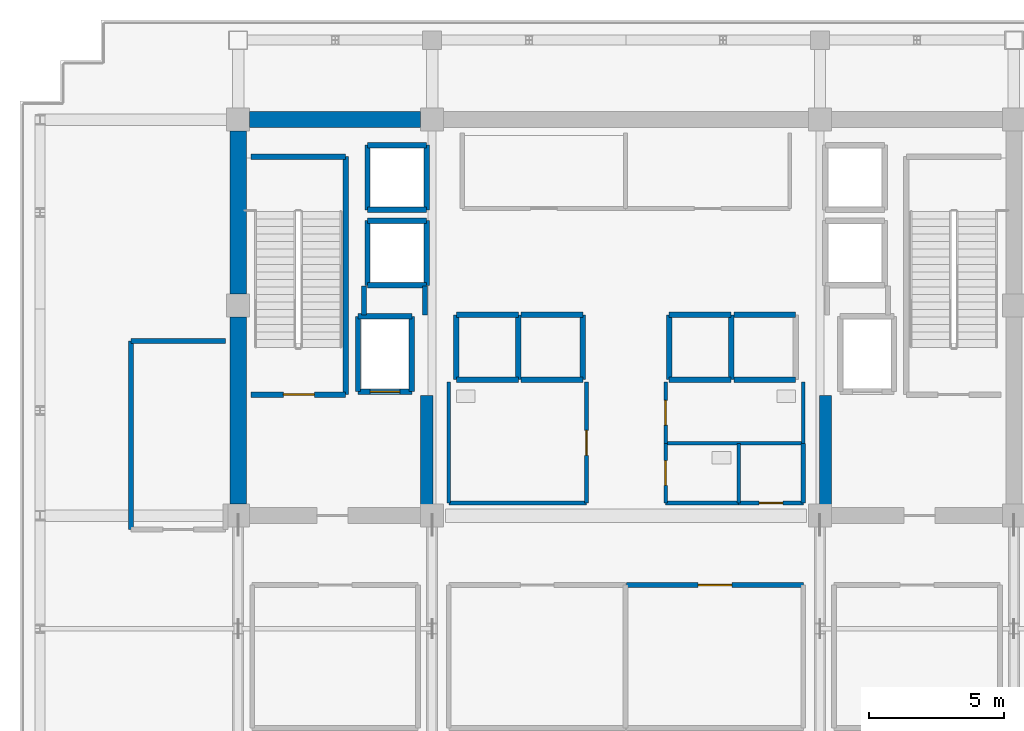
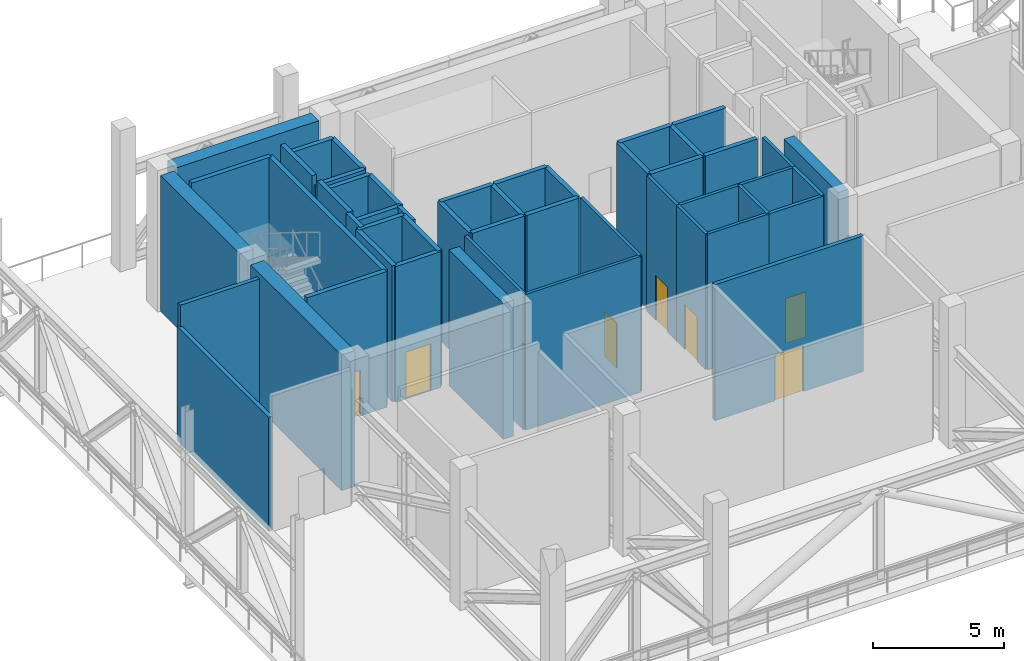
# One storey, part 4 of 11: 49 walls, 7 doors, 7 openings.
"""IFC4 building model written with IfcOpenShell, lengths in metres."""

import ifcopenshell
import ifcopenshell.guid

model = None  # the IFC model being written
_history = None  # IfcOwnerHistory: only IFC2X3 demands one
_inside = {}  # id of a spatial element -> (the spatial element, [elements in it])
_under = {}  # id of a project, library or spatial element -> (it, [spatial elements below it])
_declared = {}  # id of a project -> (the project, [libraries it declares])
_typed = {}  # id of a type object -> (the type object, [elements of that type])
_made_of = {}  # id of a material, layer set ... -> (it, [elements and type objects made of it])


def new_model(schema):
    """Start an empty IFC model of exactly this schema.

    Asked for "IFC4X3", IfcOpenShell would pick the latest addendum, in which some entities
    have other attributes; the version numbers below select the first issue.
    IFC2X3 requires an IfcOwnerHistory on every rooted entity: one is made here for all.
    """
    global model, _history
    if schema == "IFC4X3":
        model = ifcopenshell.file(schema_version=(4, 3, 0, 0))
    else:
        model = ifcopenshell.file(schema=schema)
    _inside.clear()
    _under.clear()
    _declared.clear()
    _typed.clear()
    _made_of.clear()
    _history = None
    if model.schema == "IFC2X3":
        org = make("IfcOrganization", Name="unknown")
        user = make(
            "IfcPersonAndOrganization",
            ThePerson=make("IfcPerson", FamilyName="unknown"),
            TheOrganization=org,
        )
        app = make(
            "IfcApplication",
            ApplicationDeveloper=org,
            Version="unknown",
            ApplicationFullName="unknown",
            ApplicationIdentifier="unknown",
        )
        _history = make(
            "IfcOwnerHistory",
            OwningUser=user,
            OwningApplication=app,
            ChangeAction="ADDED",
            CreationDate=0,
        )
    return model


def make(cls, **values):
    """One entity of the class cls with the attributes given. An attribute that is None is left unset."""
    return model.create_entity(
        cls, **{name: value for name, value in values.items() if value is not None}
    )


def rooted(cls, **values):
    """An entity with a GlobalId (a new one), such as an element, a storey or a relation."""
    return make(cls, GlobalId=ifcopenshell.guid.new(), OwnerHistory=_history, **values)


def si_unit(unit_type, name, prefix=None):
    """IfcSIUnit, for example si_unit("LENGTHUNIT", "METRE", prefix="MILLI")."""
    return make("IfcSIUnit", UnitType=unit_type, Prefix=prefix, Name=name)


def assignment(units):
    """IfcUnitAssignment: the units of a project."""
    return None if units is None else make("IfcUnitAssignment", Units=units)


def point(xyz):
    """IfcCartesianPoint."""
    return None if xyz is None else make("IfcCartesianPoint", Coordinates=xyz)


def direction(xyz):
    """IfcDirection."""
    return None if xyz is None else make("IfcDirection", DirectionRatios=xyz)


def frame(location, z_axis=None, x_axis=None):
    """IfcAxis2Placement3D, a coordinate frame: its origin and axes. An axis left out is left unset."""
    return make(
        "IfcAxis2Placement3D",
        Location=point(location),
        Axis=direction(z_axis),
        RefDirection=direction(x_axis),
    )


def frame_2d(location, x_axis=None):
    """IfcAxis2Placement2D, a coordinate frame in the plane: its origin and x axis."""
    return make(
        "IfcAxis2Placement2D", Location=point(location), RefDirection=direction(x_axis)
    )


def origin():
    """The frame at (0, 0, 0) with its axes left unset."""
    return frame((0.0, 0.0, 0.0))


def place(relative_to, where):
    """IfcLocalPlacement: puts the frame where relative to a parent placement (None: the world)."""
    return make(
        "IfcLocalPlacement", PlacementRelTo=relative_to, RelativePlacement=where
    )


def context(
    kind, dimensions, precision=None, world=None, true_north=None, identifier=None
):
    """IfcGeometricRepresentationContext, for example the 3D "Model" context."""
    return make(
        "IfcGeometricRepresentationContext",
        ContextIdentifier=identifier,
        ContextType=kind,
        CoordinateSpaceDimension=dimensions,
        Precision=precision,
        WorldCoordinateSystem=world,
        TrueNorth=true_north,
    )


def subcontext(parent, identifier, kind, view, scale=None):
    """IfcGeometricRepresentationSubContext, for example "Body" below "Model"."""
    return make(
        "IfcGeometricRepresentationSubContext",
        ContextIdentifier=identifier,
        ContextType=kind,
        ParentContext=parent,
        TargetScale=scale,
        TargetView=view,
    )


def project(units=None, contexts=None):
    """IfcProject with its units and contexts."""
    return rooted(
        "IfcProject",
        Name="project",
        RepresentationContexts=contexts,
        UnitsInContext=assignment(units),
    )


def spatial(cls, under=None, at=None, **own):
    """A site, building, storey or space (cls), placed at a placement, below another one or the project."""
    s = rooted(cls, ObjectPlacement=at, **own)
    if under is not None:
        _under.setdefault(under.id(), (under, []))[1].append(s)
    return s


def profile(cls, at=None, kind="AREA", **sizes):
    """A parametric profile (cls). Its sizes go by their IFC names, for example OverallWidth=200.0."""
    return make(cls, ProfileType=kind, Position=at, **sizes)


def rectangle(**sizes):
    """IfcRectangleProfileDef."""
    return profile("IfcRectangleProfileDef", **sizes)


def extrude(swept, where, along, depth):
    """IfcExtrudedAreaSolid: the profile swept, set in the frame where, extruded along a direction by depth."""
    return make(
        "IfcExtrudedAreaSolid",
        SweptArea=swept,
        Position=where,
        ExtrudedDirection=direction(along),
        Depth=depth,
    )


def shape(context_of_items, identifier, shape_type, items):
    """IfcShapeRepresentation: the items that make up one representation, for example the "Body"."""
    return make(
        "IfcShapeRepresentation",
        ContextOfItems=context_of_items,
        RepresentationIdentifier=identifier,
        RepresentationType=shape_type,
        Items=items,
    )


def source(mapping_origin, context_of_items, identifier, shape_type, items):
    """IfcRepresentationMap: a shape defined once, which mapped items show again and again."""
    return make(
        "IfcRepresentationMap",
        MappingOrigin=mapping_origin,
        MappedRepresentation=shape(context_of_items, identifier, shape_type, items),
    )


def transform(
    local_origin,
    x_axis=None,
    y_axis=None,
    z_axis=None,
    scale=None,
    scale2=None,
    scale3=None,
    uniform=True,
):
    """IfcCartesianTransformationOperator3D, or its non-uniform kind. x_axis, y_axis, z_axis: its Axis1, 2, 3."""
    if uniform:
        return make(
            "IfcCartesianTransformationOperator3D",
            Axis1=direction(x_axis),
            Axis2=direction(y_axis),
            LocalOrigin=point(local_origin),
            Scale=scale,
            Axis3=direction(z_axis),
        )
    return make(
        "IfcCartesianTransformationOperator3DnonUniform",
        Axis1=direction(x_axis),
        Axis2=direction(y_axis),
        LocalOrigin=point(local_origin),
        Scale=scale,
        Axis3=direction(z_axis),
        Scale2=scale2,
        Scale3=scale3,
    )


def mapped(mapping_source, mapping_target):
    """IfcMappedItem: shows the shape of a source again, moved by a transform."""
    return make(
        "IfcMappedItem", MappingSource=mapping_source, MappingTarget=mapping_target
    )


def material(Name=None, Category=None):
    """IfcMaterial."""
    return make("IfcMaterial", Name=Name, Category=Category)


def layer(
    of_material, thickness, ventilated=None, Name=None, Category=None, Priority=None
):
    """IfcMaterialLayer: one layer of a wall or slab, of a material (None: an air gap)."""
    return make(
        "IfcMaterialLayer",
        Material=of_material,
        LayerThickness=thickness,
        IsVentilated=ventilated,
        Name=Name,
        Category=Category,
        Priority=Priority,
    )


def layer_set(layers, Name=None):
    """IfcMaterialLayerSet."""
    return make("IfcMaterialLayerSet", MaterialLayers=layers, LayerSetName=Name)


def made_of(thing, what):
    """Note that an element or type object is made of a material, layer set ...; save() writes the relation."""
    if what is not None:
        _made_of.setdefault(what.id(), (what, []))[1].append(thing)
    return thing


def type_object(cls, material=None, **own):
    """A type object (cls), such as IfcWallType, which elements share."""
    return made_of(rooted(cls, **own), material)


def element(
    cls,
    number,
    at=None,
    inside=None,
    cuts=None,
    type_object=None,
    material=None,
    context=None,
    identifier="Body",
    shape_type=None,
    held_by="IfcProductDefinitionShape",
    body=None,
    shapes=None,
    **own,
):
    """One element of the class cls, such as IfcWall. Its Tag is "e" and its number.

    at: its placement. inside: the storey or other place that contains it. cuts: it is an
    opening in that element (IfcRelVoidsElement). A single representation is given by context,
    identifier, shape_type and body (its items); several are given by shapes. held_by: the class
    of the entity that holds the representations. save() writes the other relations.
    """
    e = rooted(cls, Tag="e%d" % number, ObjectPlacement=at, **own)
    if body is not None:
        shapes = [shape(context, identifier, shape_type, body)]
    if shapes is not None:
        e.Representation = make(held_by, Representations=shapes)
    if inside is not None:
        _inside.setdefault(inside.id(), (inside, []))[1].append(e)
    if cuts is not None:
        rooted(
            "IfcRelVoidsElement", RelatingBuildingElement=cuts, RelatedOpeningElement=e
        )
    if type_object is not None:
        _typed.setdefault(type_object.id(), (type_object, []))[1].append(e)
    return made_of(e, material)


def fill(opening, filler):
    """IfcRelFillsElement: the door or window that sits in an opening."""
    return rooted(
        "IfcRelFillsElement",
        RelatingOpeningElement=opening,
        RelatedBuildingElement=filler,
    )


def aggregate(whole, parts):
    """IfcRelAggregates: a whole, such as a stair, and the parts it consists of."""
    return rooted("IfcRelAggregates", RelatingObject=whole, RelatedObjects=parts)


def save(model, path):
    """Write the relations noted so far, then the file.

    IfcRelAggregates (storeys below a building ...), IfcRelContainedInSpatialStructure (elements
    in a storey), IfcRelDefinesByType, IfcRelAssociatesMaterial and IfcRelDeclares: one each for
    every whole, place, type object, material and project.
    """
    for whole, parts in _under.values():
        aggregate(whole, parts)
    for where, things in _inside.values():
        rooted(
            "IfcRelContainedInSpatialStructure",
            RelatedElements=things,
            RelatingStructure=where,
        )
    for kind, things in _typed.values():
        rooted("IfcRelDefinesByType", RelatedObjects=things, RelatingType=kind)
    for what, things in _made_of.values():
        rooted("IfcRelAssociatesMaterial", RelatedObjects=things, RelatingMaterial=what)
    for by, libraries in _declared.values():
        rooted("IfcRelDeclares", RelatingContext=by, RelatedDefinitions=libraries)
    model.write(path)


model = new_model("IFC4")

# Units and contexts
model_context = context("Model", 3, precision=1e-05, world=origin(), true_north=direction((0.0, 1.0)))
body_context = subcontext(model_context, "Body", "Model", "MODEL_VIEW")
ifc_project = project(units=[si_unit("LENGTHUNIT", "METRE"), si_unit("AREAUNIT", "SQUARE_METRE"), si_unit("VOLUMEUNIT", "CUBIC_METRE"), si_unit("PLANEANGLEUNIT", "RADIAN"), si_unit("MASSUNIT", "GRAM", prefix="KILO")], contexts=[model_context])

# Site, building, storey
site_placement = place(None, origin())
site = spatial("IfcSite", under=ifc_project, at=site_placement, CompositionType="ELEMENT")
building_placement = place(site_placement, origin())
building = spatial("IfcBuilding", under=site, at=building_placement, Name="Zarnakvel Exchange Tower", CompositionType="ELEMENT")
storey_placement = place(building_placement, frame((0.0, 0.0, 199.0)))
storey = spatial("IfcBuildingStorey", under=building, at=storey_placement, Name="L56", CompositionType="ELEMENT", Elevation=199.0)

# Walls
ifc_material_1 = material(Name="Concrete C50/60", Category="concrete")
ifc_layer_1 = layer(ifc_material_1, 0.60009765625)
ifc_layer_set_1 = layer_set([ifc_layer_1], Name="Concrete C50/60")
wall_type_1 = type_object("IfcWallType", Name="CW-C5", PredefinedType="SHEAR", material=ifc_layer_set_1)
wall_1_placement = place(storey_placement, frame((-13.97509765625, 13.5, 0.0), z_axis=(0.0, 0.0, 1.0), x_axis=(1.0, 0.0, 0.0)))
element("IfcWall", 1, at=wall_1_placement, inside=storey, type_object=wall_type_1, Name="L56 Rear Core Shear Wall N1 (CW-C5)", PredefinedType="SHEAR", context=body_context, shape_type="SweptSolid", body=[
    extrude(rectangle(XDim=6.35009765625, YDim=0.60009765625, at=frame_2d((3.175048828125, 0.0))), origin(), (0.0, 0.0, 1.0), 6.35009765625),
])
wall_2_placement = place(storey_placement, frame((-14.39990234375, -0.77490234375, 0.0), z_axis=(0.0, 0.0, 1.0), x_axis=(0.0, 1.0, 0.0)))
element("IfcWall", 2, at=wall_2_placement, inside=storey, type_object=wall_type_1, Name="L56 Rear Core Shear Wall W1 (CW-C5)", PredefinedType="SHEAR", context=body_context, shape_type="SweptSolid", body=[
    extrude(rectangle(XDim=6.949951171875, YDim=0.60009765625, at=frame_2d((3.47509765625, 0.0))), origin(), (0.0, 0.0, 1.0), 6.35009765625),
])
wall_3_placement = place(storey_placement, frame((-14.39990234375, 7.02490234375, 0.0), z_axis=(0.0, 0.0, 1.0), x_axis=(0.0, 1.0, 0.0)))
element("IfcWall", 3, at=wall_3_placement, inside=storey, type_object=wall_type_1, Name="L56 Rear Core Shear Wall W2 (CW-C5)", PredefinedType="SHEAR", context=body_context, shape_type="SweptSolid", body=[
    extrude(rectangle(XDim=6.050048828125, YDim=0.60009765625, at=frame_2d((3.02490234375, 0.0))), origin(), (0.0, 0.0, 1.0), 6.35009765625),
])
ifc_layer_2 = layer(ifc_material_1, 0.449951171875)
ifc_layer_set_2 = layer_set([ifc_layer_2], Name="Concrete C50/60")
wall_type_2 = type_object("IfcWallType", Name="CW-C6", PredefinedType="SHEAR", material=ifc_layer_set_2)
for number, where, z_axis, x_axis, name in (
    (4, (-7.39990234375, -0.89990234375, 0.0), (0.0, 0.0, 1.0), (0.0, 1.0, 0.0), "L56 Rear Core Shear Wall IW (CW-C6)"),
    (5, (7.39990234375, -0.89990234375, 0.0), (0.0, 0.0, 1.0), (0.0, 1.0, 0.0), "L56 Rear Core Shear Wall IE (CW-C6)"),
):
    element("IfcWall", number, at=place(storey_placement, frame(where, z_axis=z_axis, x_axis=x_axis)), inside=storey, type_object=wall_type_2, Name=name, PredefinedType="SHEAR", context=body_context, shape_type="SweptSolid", body=[
        extrude(rectangle(XDim=4.14990234375, YDim=0.449951171875, at=frame_2d((2.074951171875, 0.0))), origin(), (0.0, 0.0, 1.0), 6.35009765625),
    ])

# Wall, opening, door
ifc_material_2 = material(Name="Fire-Rated Gypsum Stud Partition", Category="gypsum")
ifc_layer_3 = layer(ifc_material_2, 0.14990234375)
ifc_layer_set_3 = layer_set([ifc_layer_3], Name="Fire-Rated Gypsum Stud Partition")
wall_type_3 = type_object("IfcWallType", Name="PT-01", PredefinedType="PARTITIONING", material=ifc_layer_set_3)
wall_4_placement = place(storey_placement, frame((6.580078125, -0.72998046875, 0.0), z_axis=(0.0, 0.0, 1.0), x_axis=(-1.0, 0.0, 0.0)))
wall_4 = element("IfcWall", 6, at=wall_4_placement, inside=storey, type_object=wall_type_3, Name="L56 Partition Wall PWALL-L56-025 (PT-01)", PredefinedType="PARTITIONING", context=body_context, shape_type="SweptSolid", body=[
    extrude(rectangle(XDim=2.400146484375, YDim=0.14990234375, at=frame_2d((1.2001953125, 0.0))), origin(), (0.0, 0.0, 1.0), 6.35009765625),
])
opening_1_placement = place(wall_4_placement, frame((0.760009765625, 0.0, 0.0)))
opening_1 = element("IfcOpeningElement", 7, at=opening_1_placement, cuts=wall_4, Name="Opening D-L56-10", PredefinedType="OPENING", context=body_context, shape_type="SweptSolid", body=[
    extrude(rectangle(XDim=0.8798828125, YDim=2.10009765625, at=frame_2d((0.43994140625, 1.050048828125))), frame((0.0, 0.0849609375, 0.0), z_axis=(0.0, -1.0, 0.0), x_axis=(1.0, 0.0, 0.0)), (0.0, 0.0, 1.0), 0.169921875),
])
ifc_material_3 = material(Name="Painted Galvanised Steel S355", Category="steel")
door_type_1 = type_object("IfcDoorType", Name="DT-08", OperationType="NOTDEFINED", PredefinedType="DOOR", material=ifc_material_3)
shared_shape_1 = source(origin(), body_context, "Body", "SweptSolid", [
    extrude(rectangle(XDim=0.8798828125, YDim=2.10009765625, at=frame_2d((0.43994140625, 1.050048828125))), frame((0.0, 0.02490234375, 0.0), z_axis=(0.0, -1.0, 0.0), x_axis=(1.0, 0.0, 0.0)), (0.0, 0.0, 1.0), 0.050048828125),
])
door_1_placement = place(opening_1_placement, origin())
door_1 = element("IfcDoor", 8, at=door_1_placement, inside=storey, type_object=door_type_1, Name="L56 Cleaners Store Door D-L56-10", OperationType="SINGLE_SWING_LEFT", OverallHeight=2.10009765625, OverallWidth=0.8798828125, PredefinedType="DOOR", context=body_context, shape_type="MappedRepresentation", body=[
    mapped(shared_shape_1, transform((0.0, 0.0, 0.0), x_axis=(1.0, 0.0, 0.0), y_axis=(0.0, 1.0, 0.0), z_axis=(0.0, 0.0, 1.0), scale=1.0)),
])
fill(opening_1, door_1)

# Walls
wall_5_placement = place(storey_placement, frame((6.580078125, 1.47998046875, 0.0), z_axis=(0.0, 0.0, 1.0), x_axis=(0.0, -1.0, 0.0)))
element("IfcWall", 9, at=wall_5_placement, inside=storey, type_object=wall_type_3, Name="L56 Partition Wall PWALL-L56-026 (PT-01)", PredefinedType="PARTITIONING", context=body_context, shape_type="SweptSolid", body=[
    extrude(rectangle(XDim=2.2099609375, YDim=0.14990234375, at=frame_2d((1.10498046875, 0.0))), origin(), (0.0, 0.0, 1.0), 6.35009765625),
])
ifc_layer_4 = layer(ifc_material_2, 0.179931640625)
ifc_layer_set_4 = layer_set([ifc_layer_4], Name="Fire-Rated Gypsum Stud Partition")
wall_type_4 = type_object("IfcWallType", Name="PT-02", PredefinedType="PARTITIONING", material=ifc_layer_set_4)
wall_6_placement = place(storey_placement, frame((-9.72998046875, 6.239990234375, 0.0), z_axis=(0.0, 0.0, 1.0), x_axis=(0.0, 1.0, 0.0)))
element("IfcWall", 10, at=wall_6_placement, inside=storey, type_object=wall_type_4, Name="L56 Partition Wall PWALL-L56-007 (PT-02)", PredefinedType="PARTITIONING", context=body_context, shape_type="SweptSolid", body=[
    extrude(rectangle(XDim=1.090087890625, YDim=0.179931640625, at=frame_2d((0.544921875, 0.0))), origin(), (0.0, 0.0, 1.0), 6.35009765625),
])
wall_7_placement = place(storey_placement, frame((-7.469970703125, 7.330078125, 0.0), z_axis=(0.0, 0.0, 1.0), x_axis=(0.0, -1.0, 0.0)))
element("IfcWall", 11, at=wall_7_placement, inside=storey, type_object=wall_type_4, Name="L56 Partition Wall PWALL-L56-008 (PT-02)", PredefinedType="PARTITIONING", context=body_context, shape_type="SweptSolid", body=[
    extrude(rectangle(XDim=1.090087890625, YDim=0.179931640625, at=frame_2d((0.544921875, 0.0))), origin(), (0.0, 0.0, 1.0), 5.889892578125),
])
wall_8_placement = place(storey_placement, frame((-18.3798828125, 5.280029296875, 0.0), z_axis=(0.0, 0.0, 1.0), x_axis=(1.0, 0.0, 0.0)))
element("IfcWall", 12, at=wall_8_placement, inside=storey, type_object=wall_type_4, Name="L56 Partition Wall PWALL-L56-028 (PT-02)", PredefinedType="PARTITIONING", context=body_context, shape_type="SweptSolid", body=[
    extrude(rectangle(XDim=3.509765625, YDim=0.179931640625, at=frame_2d((1.7548828125, 0.0))), origin(), (0.0, 0.0, 1.0), 6.35009765625),
])
wall_9_placement = place(storey_placement, frame((-18.3798828125, -1.719970703125, 0.0), z_axis=(0.0, 0.0, 1.0), x_axis=(0.0, 1.0, 0.0)))
element("IfcWall", 13, at=wall_9_placement, inside=storey, type_object=wall_type_4, Name="L56 Partition Wall PWALL-L56-029 (PT-02)", PredefinedType="PARTITIONING", context=body_context, shape_type="SweptSolid", body=[
    extrude(rectangle(XDim=7.0, YDim=0.179931640625, at=frame_2d((3.5, 0.0))), origin(), (0.0, 0.0, 1.0), 5.33203125),
])

# Wall, opening, door
wall_10_placement = place(storey_placement, frame((0.02001953125, -3.780029296875, 0.0), z_axis=(0.0, 0.0, 1.0), x_axis=(1.0, 0.0, 0.0)))
wall_10 = element("IfcWall", 14, at=wall_10_placement, inside=storey, type_object=wall_type_4, Name="L56 Partition Wall PWALL-L56-040 (PT-02)", PredefinedType="PARTITIONING", context=body_context, shape_type="SweptSolid", body=[
    extrude(rectangle(XDim=6.56005859375, YDim=0.179931640625, at=frame_2d((3.280029296875, 0.0))), origin(), (0.0, 0.0, 1.0), 6.35009765625),
])
opening_2_placement = place(wall_10_placement, frame((2.655029296875, 0.0, 0.0)))
opening_2 = element("IfcOpeningElement", 15, at=opening_2_placement, cuts=wall_10, Name="Opening D-L56-14", PredefinedType="OPENING", context=body_context, shape_type="SweptSolid", body=[
    extrude(rectangle(XDim=1.25, YDim=2.14990234375, at=frame_2d((0.625, 1.074951171875))), frame((0.0, 0.099853515625, 0.0), z_axis=(0.0, -1.0, 0.0), x_axis=(1.0, 0.0, 0.0)), (0.0, 0.0, 1.0), 0.199951171875),
])
door_type_2 = type_object("IfcDoorType", Name="DT-06", OperationType="NOTDEFINED", PredefinedType="DOOR", material=ifc_material_3)
shared_shape_2 = source(origin(), body_context, "Body", "SweptSolid", [
    extrude(rectangle(XDim=1.25, YDim=2.14990234375, at=frame_2d((0.625, 1.074951171875))), frame((0.0, 0.02490234375, 0.0), z_axis=(0.0, -1.0, 0.0), x_axis=(1.0, 0.0, 0.0)), (0.0, 0.0, 1.0), 0.050048828125),
])
door_2_placement = place(opening_2_placement, origin())
door_2 = element("IfcDoor", 16, at=door_2_placement, inside=storey, type_object=door_type_2, Name="L56 L56 AHU Supply Fan Plant Room Door D-L56-14", OperationType="SINGLE_SWING_LEFT", OverallHeight=2.14990234375, OverallWidth=1.25, PredefinedType="DOOR", context=body_context, shape_type="MappedRepresentation", body=[
    mapped(shared_shape_2, transform((0.0, 0.0, 0.0), x_axis=(1.0, 0.0, 0.0), y_axis=(0.0, 1.0, 0.0), z_axis=(0.0, 0.0, 1.0), scale=1.0)),
])
fill(opening_2, door_2)

# Walls
ifc_material_4 = material(Name="Moisture-Resistant Tile-Faced Partition", Category="gypsum")
ifc_layer_5 = layer(ifc_material_4, 0.135009765625)
ifc_layer_set_5 = layer_set([ifc_layer_5], Name="Moisture-Resistant Tile-Faced Partition")
wall_type_5 = type_object("IfcWallType", Name="PT-03", PredefinedType="PARTITIONING", material=ifc_layer_set_5)
wall_11_placement = place(storey_placement, frame((-1.469970703125, -0.72998046875, 0.0), z_axis=(0.0, 0.0, 1.0), x_axis=(-1.0, 0.0, 0.0)))
element("IfcWall", 17, at=wall_11_placement, inside=storey, type_object=wall_type_5, Name="L56 Partition Wall PWALL-L56-016 (PT-03)", PredefinedType="PARTITIONING", context=body_context, shape_type="SweptSolid", body=[
    extrude(rectangle(XDim=5.110107421875, YDim=0.135009765625, at=frame_2d((2.55517578125, 0.0))), origin(), (0.0, 0.0, 1.0), 6.35009765625),
])
wall_12_placement = place(storey_placement, frame((-6.580078125, -0.72998046875, 0.0), z_axis=(0.0, 0.0, 1.0), x_axis=(0.0, 1.0, 0.0)))
element("IfcWall", 18, at=wall_12_placement, inside=storey, type_object=wall_type_5, Name="L56 Partition Wall PWALL-L56-017 (PT-03)", PredefinedType="PARTITIONING", context=body_context, shape_type="SweptSolid", body=[
    extrude(rectangle(XDim=4.489990234375, YDim=0.135009765625, at=frame_2d((2.2451171875, 0.0))), origin(), (0.0, 0.0, 1.0), 6.35009765625),
])

# Wall, opening, door
wall_13_placement = place(storey_placement, frame((-1.469970703125, 3.760009765625, 0.0), z_axis=(0.0, 0.0, 1.0), x_axis=(0.0, -1.0, 0.0)))
wall_13 = element("IfcWall", 19, at=wall_13_placement, inside=storey, type_object=wall_type_5, Name="L56 Partition Wall PWALL-L56-018 (PT-03)", PredefinedType="PARTITIONING", context=body_context, shape_type="SweptSolid", body=[
    extrude(rectangle(XDim=4.489990234375, YDim=0.135009765625, at=frame_2d((2.2451171875, 0.0))), origin(), (0.0, 0.0, 1.0), 6.35009765625),
])
opening_3_placement = place(wall_13_placement, frame((1.800048828125, 0.0, 0.0)))
opening_3 = element("IfcOpeningElement", 20, at=opening_3_placement, cuts=wall_13, Name="Opening D-L56-07", PredefinedType="OPENING", context=body_context, shape_type="SweptSolid", body=[
    extrude(rectangle(XDim=0.919921875, YDim=2.10009765625, at=frame_2d((0.4599609375, 1.050048828125))), frame((0.0, 0.077392578125, 0.0), z_axis=(0.0, -1.0, 0.0), x_axis=(1.0, 0.0, 0.0)), (0.0, 0.0, 1.0), 0.155029296875),
])
ifc_material_5 = material(Name="Moisture-Resistant Laminate Timber", Category="wood")
door_type_3 = type_object("IfcDoorType", Name="DT-07", OperationType="NOTDEFINED", PredefinedType="DOOR", material=ifc_material_5)
shared_shape_3 = source(origin(), body_context, "Body", "SweptSolid", [
    extrude(rectangle(XDim=0.919921875, YDim=2.10009765625, at=frame_2d((0.4599609375, 1.050048828125))), frame((0.0, 0.02490234375, 0.0), z_axis=(0.0, -1.0, 0.0), x_axis=(1.0, 0.0, 0.0)), (0.0, 0.0, 1.0), 0.050048828125),
])
door_3_placement = place(opening_3_placement, origin())
door_3 = element("IfcDoor", 21, at=door_3_placement, inside=storey, type_object=door_type_3, Name="L56 Male Toilet Door D-L56-07", OperationType="SINGLE_SWING_RIGHT", OverallHeight=2.10009765625, OverallWidth=0.919921875, PredefinedType="DOOR", context=body_context, shape_type="MappedRepresentation", body=[
    mapped(shared_shape_3, transform((0.0, 0.0, 0.0), x_axis=(1.0, 0.0, 0.0), y_axis=(0.0, 1.0, 0.0), z_axis=(0.0, 0.0, 1.0), scale=1.0)),
])
fill(opening_3, door_3)

# Wall
wall_14_placement = place(storey_placement, frame((6.580078125, 1.47998046875, 0.0), z_axis=(0.0, 0.0, 1.0), x_axis=(-1.0, 0.0, 0.0)))
element("IfcWall", 22, at=wall_14_placement, inside=storey, type_object=wall_type_5, Name="L56 Partition Wall PWALL-L56-019 (PT-03)", PredefinedType="PARTITIONING", context=body_context, shape_type="SweptSolid", body=[
    extrude(rectangle(XDim=5.110107421875, YDim=0.135009765625, at=frame_2d((2.55517578125, 0.0))), origin(), (0.0, 0.0, 1.0), 6.35009765625),
])

# Wall, opening, door
wall_15_placement = place(storey_placement, frame((1.469970703125, 1.47998046875, 0.0), z_axis=(0.0, 0.0, 1.0), x_axis=(0.0, 1.0, 0.0)))
wall_15 = element("IfcWall", 23, at=wall_15_placement, inside=storey, type_object=wall_type_5, Name="L56 Partition Wall PWALL-L56-020 (PT-03)", PredefinedType="PARTITIONING", context=body_context, shape_type="SweptSolid", body=[
    extrude(rectangle(XDim=2.280029296875, YDim=0.135009765625, at=frame_2d((1.14013671875, 0.0))), origin(), (0.0, 0.0, 1.0), 6.35009765625),
])
opening_4_placement = place(wall_15_placement, frame((0.679931640625, 0.0, 0.0)))
opening_4 = element("IfcOpeningElement", 24, at=opening_4_placement, cuts=wall_15, Name="Opening D-L56-08", PredefinedType="OPENING", context=body_context, shape_type="SweptSolid", body=[
    extrude(rectangle(XDim=0.919921875, YDim=2.10009765625, at=frame_2d((0.4599609375, 1.050048828125))), frame((0.0, 0.077392578125, 0.0), z_axis=(0.0, -1.0, 0.0), x_axis=(1.0, 0.0, 0.0)), (0.0, 0.0, 1.0), 0.155029296875),
])
door_4_placement = place(opening_4_placement, origin())
door_4 = element("IfcDoor", 25, at=door_4_placement, inside=storey, type_object=door_type_3, Name="L56 Female Toilet Door D-L56-08", OperationType="SINGLE_SWING_LEFT", OverallHeight=2.10009765625, OverallWidth=0.919921875, PredefinedType="DOOR", context=body_context, shape_type="MappedRepresentation", body=[
    mapped(shared_shape_3, transform((0.0, 0.0, 0.0), x_axis=(1.0, 0.0, 0.0), y_axis=(0.0, 1.0, 0.0), z_axis=(0.0, 0.0, 1.0), scale=1.0)),
])
fill(opening_4, door_4)

# Walls
wall_16_placement = place(storey_placement, frame((6.580078125, 3.760009765625, 0.0), z_axis=(0.0, 0.0, 1.0), x_axis=(0.0, -1.0, 0.0)))
element("IfcWall", 26, at=wall_16_placement, inside=storey, type_object=wall_type_5, Name="L56 Partition Wall PWALL-L56-021 (PT-03)", PredefinedType="PARTITIONING", context=body_context, shape_type="SweptSolid", body=[
    extrude(rectangle(XDim=2.280029296875, YDim=0.135009765625, at=frame_2d((1.14013671875, 0.0))), origin(), (0.0, 0.0, 1.0), 6.35009765625),
])
wall_17_placement = place(storey_placement, frame((4.179931640625, -0.72998046875, 0.0), z_axis=(0.0, 0.0, 1.0), x_axis=(-1.0, 0.0, 0.0)))
element("IfcWall", 27, at=wall_17_placement, inside=storey, type_object=wall_type_5, Name="L56 Partition Wall PWALL-L56-022 (PT-03)", PredefinedType="PARTITIONING", context=body_context, shape_type="SweptSolid", body=[
    extrude(rectangle(XDim=2.7099609375, YDim=0.135009765625, at=frame_2d((1.35498046875, 0.0))), origin(), (0.0, 0.0, 1.0), 6.35009765625),
])

# Wall, opening, door
wall_18_placement = place(storey_placement, frame((1.469970703125, -0.72998046875, 0.0), z_axis=(0.0, 0.0, 1.0), x_axis=(0.0, 1.0, 0.0)))
wall_18 = element("IfcWall", 28, at=wall_18_placement, inside=storey, type_object=wall_type_5, Name="L56 Partition Wall PWALL-L56-023 (PT-03)", PredefinedType="PARTITIONING", context=body_context, shape_type="SweptSolid", body=[
    extrude(rectangle(XDim=2.2099609375, YDim=0.135009765625, at=frame_2d((1.10498046875, 0.0))), origin(), (0.0, 0.0, 1.0), 6.35009765625),
])
opening_5_placement = place(wall_18_placement, frame((0.64990234375, 0.0, 0.0)))
opening_5 = element("IfcOpeningElement", 29, at=opening_5_placement, cuts=wall_18, Name="Opening D-L56-09", PredefinedType="OPENING", context=body_context, shape_type="SweptSolid", body=[
    extrude(rectangle(XDim=0.919921875, YDim=2.10009765625, at=frame_2d((0.4599609375, 1.050048828125))), frame((0.0, 0.077392578125, 0.0), z_axis=(0.0, -1.0, 0.0), x_axis=(1.0, 0.0, 0.0)), (0.0, 0.0, 1.0), 0.155029296875),
])
door_5_placement = place(opening_5_placement, origin())
door_5 = element("IfcDoor", 30, at=door_5_placement, inside=storey, type_object=door_type_3, Name="L56 Accessible Toilet Door D-L56-09", OperationType="SINGLE_SWING_RIGHT", OverallHeight=2.10009765625, OverallWidth=0.919921875, PredefinedType="DOOR", context=body_context, shape_type="MappedRepresentation", body=[
    mapped(shared_shape_3, transform((0.0, 0.0, 0.0), x_axis=(1.0, 0.0, 0.0), y_axis=(0.0, 1.0, 0.0), z_axis=(0.0, 0.0, 1.0), scale=1.0)),
])
fill(opening_5, door_5)

# Wall
wall_19_placement = place(storey_placement, frame((4.179931640625, 1.47998046875, 0.0), z_axis=(0.0, 0.0, 1.0), x_axis=(0.0, -1.0, 0.0)))
element("IfcWall", 31, at=wall_19_placement, inside=storey, type_object=wall_type_5, Name="L56 Partition Wall PWALL-L56-024 (PT-03)", PredefinedType="PARTITIONING", context=body_context, shape_type="SweptSolid", body=[
    extrude(rectangle(XDim=2.2099609375, YDim=0.135009765625, at=frame_2d((1.10498046875, 0.0))), origin(), (0.0, 0.0, 1.0), 6.35009765625),
])

# Wall, opening, door
ifc_material_6 = material(Name="Concrete C40/50", Category="concrete")
ifc_layer_6 = layer(ifc_material_6, 0.199951171875)
ifc_layer_set_6 = layer_set([ifc_layer_6], Name="Concrete C40/50")
wall_type_6 = type_object("IfcWallType", Name="SW-01", PredefinedType="SOLIDWALL", material=ifc_layer_set_6)
wall_20_placement = place(storey_placement, frame((-7.949951171875, 3.39990234375, 0.0), z_axis=(0.0, 0.0, 1.0), x_axis=(-1.0, 0.0, 0.0)))
wall_20 = element("IfcWall", 32, at=wall_20_placement, inside=storey, type_object=wall_type_6, Name="L56 FL-01 Hoistway Wall South", PredefinedType="SOLIDWALL", context=body_context, shape_type="SweptSolid", body=[
    extrude(rectangle(XDim=2.0, YDim=0.199951171875, at=frame_2d((1.0, 0.0))), origin(), (0.0, 0.0, 1.0), 6.35009765625),
])
opening_6_placement = place(wall_20_placement, frame((0.449951171875, 0.0, 0.0)))
opening_6 = element("IfcOpeningElement", 33, at=opening_6_placement, cuts=wall_20, Name="Opening LD-FL-01-L56", PredefinedType="OPENING", context=body_context, shape_type="SweptSolid", body=[
    extrude(rectangle(XDim=1.10009765625, YDim=2.199951171875, at=frame_2d((0.550048828125, 1.10009765625))), frame((0.0, 0.10986328125, 0.0), z_axis=(0.0, -1.0, 0.0), x_axis=(1.0, 0.0, 0.0)), (0.0, 0.0, 1.0), 0.219970703125),
])
ifc_material_7 = material(Name="Brushed Stainless Steel", Category="steel")
door_type_4 = type_object("IfcDoorType", Name="LDT-01", OperationType="NOTDEFINED", PredefinedType="DOOR", material=ifc_material_7)
shared_shape_4 = source(origin(), body_context, "Body", "SweptSolid", [
    extrude(rectangle(XDim=1.10009765625, YDim=2.199951171875, at=frame_2d((0.550048828125, 1.10009765625))), frame((0.0, 0.02490234375, 0.0), z_axis=(0.0, -1.0, 0.0), x_axis=(1.0, 0.0, 0.0)), (0.0, 0.0, 1.0), 0.050048828125),
])
door_6_placement = place(opening_6_placement, origin())
door_6 = element("IfcDoor", 34, at=door_6_placement, inside=storey, type_object=door_type_4, Name="L56 FL-01 Lift Landing Door LD-FL-01-L56", OperationType="DOUBLE_DOOR_SLIDING", OverallHeight=2.199951171875, OverallWidth=1.10009765625, PredefinedType="DOOR", context=body_context, shape_type="MappedRepresentation", body=[
    mapped(shared_shape_4, transform((0.0, 0.0, 0.0), x_axis=(1.0, 0.0, 0.0), y_axis=(0.0, 1.0, 0.0), z_axis=(0.0, 0.0, 1.0), scale=1.0)),
])
fill(opening_6, door_6)

# Walls
wall_21_placement = place(storey_placement, frame((-9.949951171875, 6.199951171875, 0.0), z_axis=(0.0, 0.0, 1.0), x_axis=(1.0, 0.0, 0.0)))
element("IfcWall", 35, at=wall_21_placement, inside=storey, type_object=wall_type_6, Name="L56 FL-01 Hoistway Wall North", PredefinedType="SOLIDWALL", context=body_context, shape_type="SweptSolid", body=[
    extrude(rectangle(XDim=2.0, YDim=0.199951171875, at=frame_2d((1.0, 0.0))), origin(), (0.0, 0.0, 1.0), 6.35009765625),
])
for number, where, z_axis, x_axis, name in (
    (36, (-9.949951171875, 3.39990234375, 0.0), (0.0, 0.0, 1.0), (0.0, 1.0, 0.0), "L56 FL-01 Hoistway Wall West"),
    (37, (-7.949951171875, 6.199951171875, 0.0), (0.0, 0.0, 1.0), (0.0, -1.0, 0.0), "L56 FL-01 Hoistway Wall East"),
):
    element("IfcWall", number, at=place(storey_placement, frame(where, z_axis=z_axis, x_axis=x_axis)), inside=storey, type_object=wall_type_6, Name=name, PredefinedType="SOLIDWALL", context=body_context, shape_type="SweptSolid", body=[
        extrude(rectangle(XDim=2.800048828125, YDim=0.199951171875, at=frame_2d((1.39990234375, 0.0))), origin(), (0.0, 0.0, 1.0), 6.35009765625),
    ])
for number, where, z_axis, x_axis, name in (
    (38, (-4.0, 3.85009765625, 0.0), (0.0, 0.0, 1.0), (-1.0, 0.0, 0.0), "L56 PL-05 Hoistway Wall South"),
    (39, (-6.300048828125, 6.25, 0.0), (0.0, 0.0, 1.0), (1.0, 0.0, 0.0), "L56 PL-05 Hoistway Wall North"),
):
    element("IfcWall", number, at=place(storey_placement, frame(where, z_axis=z_axis, x_axis=x_axis)), inside=storey, type_object=wall_type_6, Name=name, PredefinedType="SOLIDWALL", context=body_context, shape_type="SweptSolid", body=[
        extrude(rectangle(XDim=2.300048828125, YDim=0.199951171875, at=frame_2d((1.14990234375, 0.0))), origin(), (0.0, 0.0, 1.0), 6.35009765625),
    ])
for number, where, z_axis, x_axis, name in (
    (40, (-6.300048828125, 3.85009765625, 0.0), (0.0, 0.0, 1.0), (0.0, 1.0, 0.0), "L56 PL-05 Hoistway Wall West"),
    (41, (-4.0, 6.25, 0.0), (0.0, 0.0, 1.0), (0.0, -1.0, 0.0), "L56 PL-05 Hoistway Wall East"),
):
    element("IfcWall", number, at=place(storey_placement, frame(where, z_axis=z_axis, x_axis=x_axis)), inside=storey, type_object=wall_type_6, Name=name, PredefinedType="SOLIDWALL", context=body_context, shape_type="SweptSolid", body=[
        extrude(rectangle(XDim=2.39990234375, YDim=0.199951171875, at=frame_2d((1.199951171875, 0.0))), origin(), (0.0, 0.0, 1.0), 6.35009765625),
    ])
for number, where, z_axis, x_axis, name in (
    (42, (-1.60009765625, 3.85009765625, 0.0), (0.0, 0.0, 1.0), (-1.0, 0.0, 0.0), "L56 PL-06 Hoistway Wall South"),
    (43, (-3.89990234375, 6.25, 0.0), (0.0, 0.0, 1.0), (1.0, 0.0, 0.0), "L56 PL-06 Hoistway Wall North"),
):
    element("IfcWall", number, at=place(storey_placement, frame(where, z_axis=z_axis, x_axis=x_axis)), inside=storey, type_object=wall_type_6, Name=name, PredefinedType="SOLIDWALL", context=body_context, shape_type="SweptSolid", body=[
        extrude(rectangle(XDim=2.2998046875, YDim=0.199951171875, at=frame_2d((1.14990234375, 0.0))), origin(), (0.0, 0.0, 1.0), 6.35009765625),
    ])
wall_22_placement = place(storey_placement, frame((-1.60009765625, 6.25, 0.0), z_axis=(0.0, 0.0, 1.0), x_axis=(0.0, -1.0, 0.0)))
element("IfcWall", 44, at=wall_22_placement, inside=storey, type_object=wall_type_6, Name="L56 PL-06 Hoistway Wall East", PredefinedType="SOLIDWALL", context=body_context, shape_type="SweptSolid", body=[
    extrude(rectangle(XDim=2.39990234375, YDim=0.199951171875, at=frame_2d((1.199951171875, 0.0))), origin(), (0.0, 0.0, 1.0), 6.35009765625),
])
for number, where, z_axis, x_axis, name in (
    (45, (3.89990234375, 3.85009765625, 0.0), (0.0, 0.0, 1.0), (-1.0, 0.0, 0.0), "L56 PL-07 Hoistway Wall South"),
    (46, (1.60009765625, 6.25, 0.0), (0.0, 0.0, 1.0), (1.0, 0.0, 0.0), "L56 PL-07 Hoistway Wall North"),
):
    element("IfcWall", number, at=place(storey_placement, frame(where, z_axis=z_axis, x_axis=x_axis)), inside=storey, type_object=wall_type_6, Name=name, PredefinedType="SOLIDWALL", context=body_context, shape_type="SweptSolid", body=[
        extrude(rectangle(XDim=2.2998046875, YDim=0.199951171875, at=frame_2d((1.14990234375, 0.0))), origin(), (0.0, 0.0, 1.0), 6.35009765625),
    ])
for number, where, z_axis, x_axis, name in (
    (47, (1.60009765625, 3.85009765625, 0.0), (0.0, 0.0, 1.0), (0.0, 1.0, 0.0), "L56 PL-07 Hoistway Wall West"),
    (48, (3.89990234375, 6.25, 0.0), (0.0, 0.0, 1.0), (0.0, -1.0, 0.0), "L56 PL-07 Hoistway Wall East"),
):
    element("IfcWall", number, at=place(storey_placement, frame(where, z_axis=z_axis, x_axis=x_axis)), inside=storey, type_object=wall_type_6, Name=name, PredefinedType="SOLIDWALL", context=body_context, shape_type="SweptSolid", body=[
        extrude(rectangle(XDim=2.39990234375, YDim=0.199951171875, at=frame_2d((1.199951171875, 0.0))), origin(), (0.0, 0.0, 1.0), 6.35009765625),
    ])
for number, where, z_axis, x_axis, name in (
    (49, (6.300048828125, 3.85009765625, 0.0), (0.0, 0.0, 1.0), (-1.0, 0.0, 0.0), "L56 PL-08 Hoistway Wall South"),
    (50, (4.0, 6.25, 0.0), (0.0, 0.0, 1.0), (1.0, 0.0, 0.0), "L56 PL-08 Hoistway Wall North"),
):
    element("IfcWall", number, at=place(storey_placement, frame(where, z_axis=z_axis, x_axis=x_axis)), inside=storey, type_object=wall_type_6, Name=name, PredefinedType="SOLIDWALL", context=body_context, shape_type="SweptSolid", body=[
        extrude(rectangle(XDim=2.300048828125, YDim=0.199951171875, at=frame_2d((1.14990234375, 0.0))), origin(), (0.0, 0.0, 1.0), 6.35009765625),
    ])
for number, where, z_axis, x_axis, name in (
    (51, (-7.39990234375, 7.35009765625, 0.0), (0.0, 0.0, 1.0), (-1.0, 0.0, 0.0), "L56 PL-09 Hoistway Wall South"),
    (52, (-9.60009765625, 9.75, 0.0), (0.0, 0.0, 1.0), (1.0, 0.0, 0.0), "L56 PL-09 Hoistway Wall North"),
):
    element("IfcWall", number, at=place(storey_placement, frame(where, z_axis=z_axis, x_axis=x_axis)), inside=storey, type_object=wall_type_6, Name=name, PredefinedType="SOLIDWALL", context=body_context, shape_type="SweptSolid", body=[
        extrude(rectangle(XDim=2.2001953125, YDim=0.199951171875, at=frame_2d((1.10009765625, 0.0))), origin(), (0.0, 0.0, 1.0), 5.889892578125),
    ])
wall_23_placement = place(storey_placement, frame((-9.60009765625, 7.35009765625, 0.0), z_axis=(0.0, 0.0, 1.0), x_axis=(0.0, 1.0, 0.0)))
element("IfcWall", 53, at=wall_23_placement, inside=storey, type_object=wall_type_6, Name="L56 PL-09 Hoistway Wall West", PredefinedType="SOLIDWALL", context=body_context, shape_type="SweptSolid", body=[
    extrude(rectangle(XDim=2.39990234375, YDim=0.199951171875, at=frame_2d((1.199951171875, 0.0))), origin(), (0.0, 0.0, 1.0), 6.35009765625),
])
wall_24_placement = place(storey_placement, frame((-7.39990234375, 9.75, 0.0), z_axis=(0.0, 0.0, 1.0), x_axis=(0.0, -1.0, 0.0)))
element("IfcWall", 54, at=wall_24_placement, inside=storey, type_object=wall_type_6, Name="L56 PL-09 Hoistway Wall East", PredefinedType="SOLIDWALL", context=body_context, shape_type="SweptSolid", body=[
    extrude(rectangle(XDim=2.39990234375, YDim=0.199951171875, at=frame_2d((1.199951171875, 0.0))), origin(), (0.0, 0.0, 1.0), 5.889892578125),
])
for number, where, z_axis, x_axis, name in (
    (55, (-7.39990234375, 10.14990234375, 0.0), (0.0, 0.0, 1.0), (-1.0, 0.0, 0.0), "L56 PL-10 Hoistway Wall South"),
    (56, (-9.60009765625, 12.550048828125, 0.0), (0.0, 0.0, 1.0), (1.0, 0.0, 0.0), "L56 PL-10 Hoistway Wall North"),
):
    element("IfcWall", number, at=place(storey_placement, frame(where, z_axis=z_axis, x_axis=x_axis)), inside=storey, type_object=wall_type_6, Name=name, PredefinedType="SOLIDWALL", context=body_context, shape_type="SweptSolid", body=[
        extrude(rectangle(XDim=2.2001953125, YDim=0.199951171875, at=frame_2d((1.10009765625, 0.0))), origin(), (0.0, 0.0, 1.0), 5.889892578125),
    ])
wall_25_placement = place(storey_placement, frame((-9.60009765625, 10.14990234375, 0.0), z_axis=(0.0, 0.0, 1.0), x_axis=(0.0, 1.0, 0.0)))
element("IfcWall", 57, at=wall_25_placement, inside=storey, type_object=wall_type_6, Name="L56 PL-10 Hoistway Wall West", PredefinedType="SOLIDWALL", context=body_context, shape_type="SweptSolid", body=[
    extrude(rectangle(XDim=2.400146484375, YDim=0.199951171875, at=frame_2d((1.2001953125, 0.0))), origin(), (0.0, 0.0, 1.0), 6.35009765625),
])
wall_26_placement = place(storey_placement, frame((-7.39990234375, 12.550048828125, 0.0), z_axis=(0.0, 0.0, 1.0), x_axis=(0.0, -1.0, 0.0)))
element("IfcWall", 58, at=wall_26_placement, inside=storey, type_object=wall_type_6, Name="L56 PL-10 Hoistway Wall East", PredefinedType="SOLIDWALL", context=body_context, shape_type="SweptSolid", body=[
    extrude(rectangle(XDim=2.400146484375, YDim=0.199951171875, at=frame_2d((1.2001953125, 0.0))), origin(), (0.0, 0.0, 1.0), 5.889892578125),
])

# Wall, opening, door
ifc_layer_7 = layer(ifc_material_6, 0.199951171875)
ifc_layer_set_7 = layer_set([ifc_layer_7], Name="Concrete C40/50")
wall_type_7 = type_object("IfcWallType", Name="SW-02", PredefinedType="SOLIDWALL", material=ifc_layer_set_7)
wall_27_placement = place(storey_placement, frame((-10.409912109375, 3.2900390625, 0.0), z_axis=(0.0, 0.0, 1.0), x_axis=(-1.0, 0.0, 0.0)))
wall_27 = element("IfcWall", 59, at=wall_27_placement, inside=storey, type_object=wall_type_7, Name="L56 Stairwell Core Wall PWALL-L56-001 (SW-02)", PredefinedType="SOLIDWALL", context=body_context, shape_type="SweptSolid", body=[
    extrude(rectangle(XDim=3.52001953125, YDim=0.199951171875, at=frame_2d((1.760009765625, 0.0))), origin(), (0.0, 0.0, 1.0), 6.35009765625),
])
opening_7_placement = place(wall_27_placement, frame((1.1650390625, 0.0, 0.0)))
opening_7 = element("IfcOpeningElement", 60, at=opening_7_placement, cuts=wall_27, Name="Opening D-L56-01", PredefinedType="OPENING", context=body_context, shape_type="SweptSolid", body=[
    extrude(rectangle(XDim=1.14990234375, YDim=2.14990234375, at=frame_2d((0.574951171875, 1.074951171875))), frame((0.0, 0.10986328125, 0.0), z_axis=(0.0, -1.0, 0.0), x_axis=(1.0, 0.0, 0.0)), (0.0, 0.0, 1.0), 0.219970703125),
])
door_type_5 = type_object("IfcDoorType", Name="DT-04", OperationType="NOTDEFINED", PredefinedType="DOOR", material=ifc_material_3)
shared_shape_5 = source(origin(), body_context, "Body", "SweptSolid", [
    extrude(rectangle(XDim=1.14990234375, YDim=2.14990234375, at=frame_2d((0.574951171875, 1.074951171875))), frame((0.0, 0.02490234375, 0.0), z_axis=(0.0, -1.0, 0.0), x_axis=(1.0, 0.0, 0.0)), (0.0, 0.0, 1.0), 0.050048828125),
])
door_7_placement = place(opening_7_placement, origin())
door_7 = element("IfcDoor", 61, at=door_7_placement, inside=storey, type_object=door_type_5, Name="L56 Stairwell ST-01 Door D-L56-01", OperationType="SINGLE_SWING_RIGHT", OverallHeight=2.14990234375, OverallWidth=1.14990234375, PredefinedType="DOOR", context=body_context, shape_type="MappedRepresentation", body=[
    mapped(shared_shape_5, transform((0.0, 0.0, 0.0), x_axis=(1.0, 0.0, 0.0), y_axis=(0.0, 1.0, 0.0), z_axis=(0.0, 0.0, 1.0), scale=1.0)),
])
fill(opening_7, door_7)

# Walls
wall_28_placement = place(storey_placement, frame((-13.929931640625, 12.1298828125, 0.0), z_axis=(0.0, 0.0, 1.0), x_axis=(1.0, 0.0, 0.0)))
element("IfcWall", 62, at=wall_28_placement, inside=storey, type_object=wall_type_7, Name="L56 Stairwell Core Wall PWALL-L56-002 (SW-02)", PredefinedType="SOLIDWALL", context=body_context, shape_type="SweptSolid", body=[
    extrude(rectangle(XDim=3.52001953125, YDim=0.199951171875, at=frame_2d((1.760009765625, 0.0))), origin(), (0.0, 0.0, 1.0), 6.35009765625),
])
wall_29_placement = place(storey_placement, frame((-10.409912109375, 12.1298828125, 0.0), z_axis=(0.0, 0.0, 1.0), x_axis=(0.0, -1.0, 0.0)))
element("IfcWall", 63, at=wall_29_placement, inside=storey, type_object=wall_type_7, Name="L56 Stairwell Core Wall PWALL-L56-003 (SW-02)", PredefinedType="SOLIDWALL", context=body_context, shape_type="SweptSolid", body=[
    extrude(rectangle(XDim=8.83984375, YDim=0.199951171875, at=frame_2d((4.419921875, 0.0))), origin(), (0.0, 0.0, 1.0), 6.35009765625),
])

save(model, "model.ifc")
